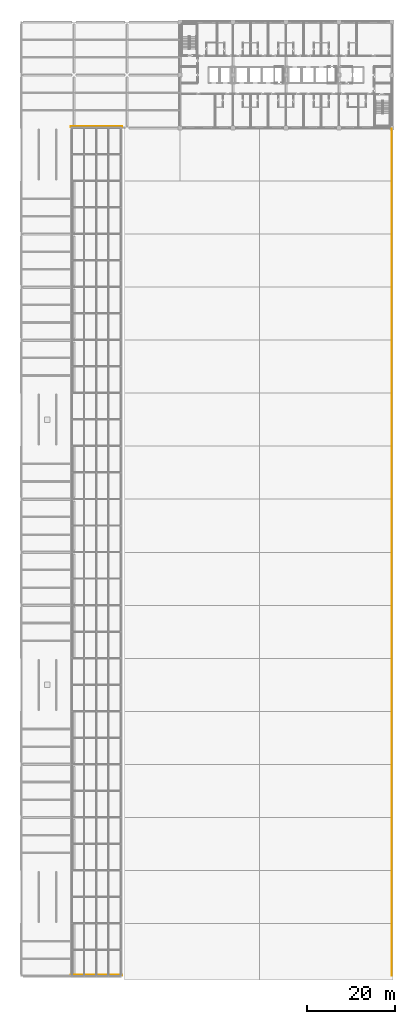
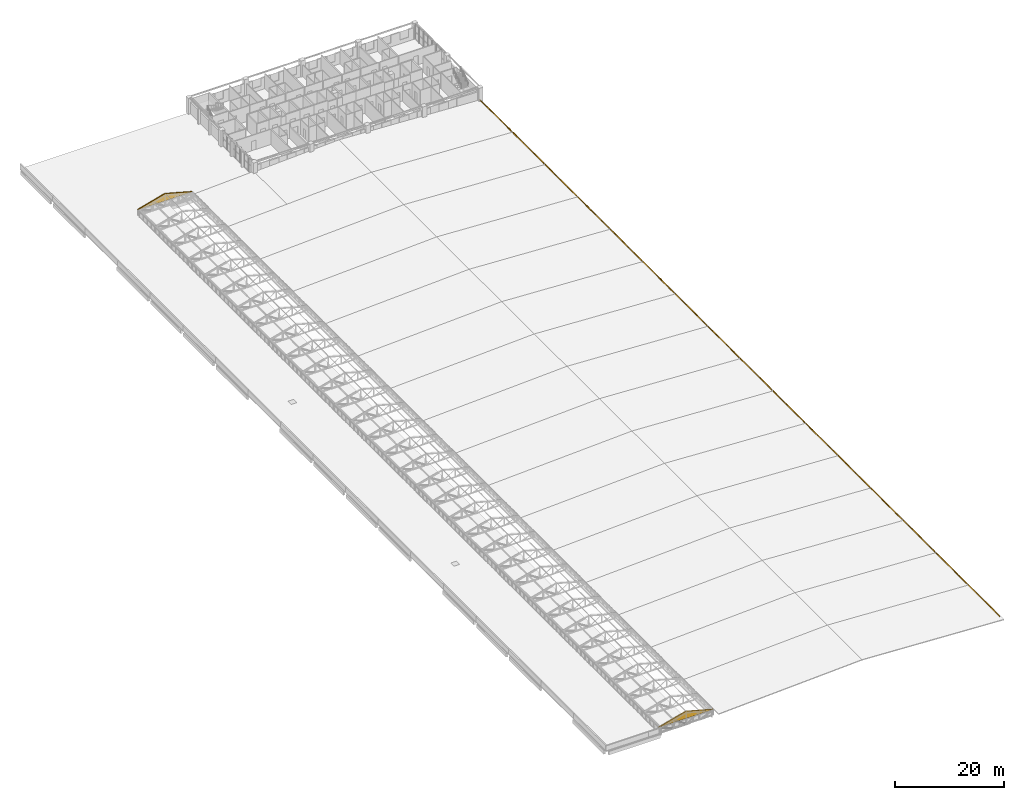
# One storey, part 93 of 94: 18 coverings.
"""IFC4 building model written with IfcOpenShell, lengths in metres."""

from ifc_helpers import new_model, si_unit, direction, frame, origin, origin_2d, place, context, subcontext, project, spatial, polyline, rectangle, outline, extrude, material, layer, layer_set, type_object, element, save


model = new_model("IFC4")

# Units and contexts
model_context = context("Model", 3, precision=1e-05, world=origin(), true_north=direction((0.0, 1.0)))
body_context = subcontext(model_context, "Body", "Model", "MODEL_VIEW")
ifc_project = project(units=[si_unit("LENGTHUNIT", "METRE"), si_unit("AREAUNIT", "SQUARE_METRE"), si_unit("VOLUMEUNIT", "CUBIC_METRE"), si_unit("PLANEANGLEUNIT", "RADIAN"), si_unit("MASSUNIT", "GRAM", prefix="KILO")], contexts=[model_context])

# Site, building, storey
site_placement = place(None, origin())
site = spatial("IfcSite", under=ifc_project, at=site_placement, CompositionType="ELEMENT")
building_placement = place(site_placement, origin())
building = spatial("IfcBuilding", under=site, at=building_placement, Name="Lilac Gate Convention Centre", CompositionType="ELEMENT")
storey_placement = place(building_placement, frame((0.0, 0.0, 21.0)))
storey = spatial("IfcBuildingStorey", under=building, at=storey_placement, Name="L04", CompositionType="ELEMENT", Elevation=21.0)

# Coverings
ifc_material_1 = material(Name="Double glazed unit low emissivity")
ifc_layer_1 = layer(ifc_material_1, 0.199951171875)
ifc_layer_set_1 = layer_set([ifc_layer_1], Name="Double glazed unit low emissivity")
covering_type_1 = type_object("IfcCoveringType", Name="Lantern gable glazing 200", PredefinedType="CLADDING", material=ifc_layer_set_1)
for number, where, z_axis, x_axis, name in (
    (1, (17.300048828125, 30.25, 1.22216796875), (0.0, 0.0, 1.0), (1.0, 0.0, 0.0), "Lantern gable glazing S"),
    (2, (17.300048828125, 222.25, 1.22216796875), (0.0, 0.0, 1.0), (1.0, 0.0, 0.0), "Lantern gable glazing N"),
):
    element("IfcCovering", number, at=place(storey_placement, frame(where, z_axis=z_axis, x_axis=x_axis)), inside=storey, type_object=covering_type_1, Name=name, PredefinedType="CLADDING", context=body_context, shape_type="SweptSolid", body=[
        extrude(outline(polyline([(0.0, 0.0), (11.599853515625, 0.0), (11.60009765625, 0.050048828125), (5.800048828125, 1.6318359375), (0.0, 0.050048828125), (0.0, 0.0)])), frame((0.0, 0.10009765625, 0.0), z_axis=(0.0, -1.0, 0.0), x_axis=(1.0, 0.0, 0.0)), (0.0, 0.0, 1.0), 0.199951171875),
    ])
ifc_material_2 = material(Name="Steel Q355B", Category="steel")
ifc_layer_2 = layer(ifc_material_2, 0.011962890625)
ifc_layer_set_2 = layer_set([ifc_layer_2], Name="Steel Q355B")
covering_type_2 = type_object("IfcCoveringType", Name="Snow guard bar 12 x 300", PredefinedType="ROOFING", material=ifc_layer_set_2)
for number, where, z_axis, x_axis, name in (
    (3, (89.89990234375, 36.0, 0.63037109375), (0.0, 0.0, 1.0), (0.0, 1.0, 0.0), "Snow guard east eave 1"),
    (4, (89.89990234375, 48.0, 0.63037109375), (0.0, 0.0, 1.0), (0.0, 1.0, 0.0), "Snow guard east eave 2"),
    (5, (89.89990234375, 60.0, 0.63037109375), (0.0, 0.0, 1.0), (0.0, 1.0, 0.0), "Snow guard east eave 3"),
    (6, (89.89990234375, 72.0, 0.63037109375), (0.0, 0.0, 1.0), (0.0, 1.0, 0.0), "Snow guard east eave 4"),
    (7, (89.89990234375, 84.0, 0.63037109375), (0.0, 0.0, 1.0), (0.0, 1.0, 0.0), "Snow guard east eave 5"),
    (8, (89.89990234375, 96.0, 0.63037109375), (0.0, 0.0, 1.0), (0.0, 1.0, 0.0), "Snow guard east eave 6"),
    (9, (89.89990234375, 108.0, 0.63037109375), (0.0, 0.0, 1.0), (0.0, 1.0, 0.0), "Snow guard east eave 7"),
    (10, (89.89990234375, 120.0, 0.63037109375), (0.0, 0.0, 1.0), (0.0, 1.0, 0.0), "Snow guard east eave 8"),
    (11, (89.89990234375, 132.0, 0.63037109375), (0.0, 0.0, 1.0), (0.0, 1.0, 0.0), "Snow guard east eave 9"),
    (12, (89.89990234375, 144.0, 0.63037109375), (0.0, 0.0, 1.0), (0.0, 1.0, 0.0), "Snow guard east eave 10"),
    (13, (89.89990234375, 156.0, 0.63037109375), (0.0, 0.0, 1.0), (0.0, 1.0, 0.0), "Snow guard east eave 11"),
    (14, (89.89990234375, 168.0, 0.63037109375), (0.0, 0.0, 1.0), (0.0, 1.0, 0.0), "Snow guard east eave 12"),
    (15, (89.89990234375, 180.0, 0.63037109375), (0.0, 0.0, 1.0), (0.0, 1.0, 0.0), "Snow guard east eave 13"),
    (16, (89.89990234375, 192.0, 0.63037109375), (0.0, 0.0, 1.0), (0.0, 1.0, 0.0), "Snow guard east eave 14"),
    (17, (89.89990234375, 204.0, 0.63037109375), (0.0, 0.0, 1.0), (0.0, 1.0, 0.0), "Snow guard east eave 15"),
    (18, (89.89990234375, 216.0, 0.63037109375), (0.0, 0.0, 1.0), (0.0, 1.0, 0.0), "Snow guard east eave 16"),
):
    element("IfcCovering", number, at=place(storey_placement, frame(where, z_axis=z_axis, x_axis=x_axis)), inside=storey, type_object=covering_type_2, Name=name, PredefinedType="ROOFING", context=body_context, shape_type="SweptSolid", body=[
        extrude(rectangle(XDim=11.60009765625, YDim=0.011962890625, at=origin_2d()), origin(), (0.0, 0.0, 1.0), 0.300048828125),
    ])

save(model, "model.ifc")
